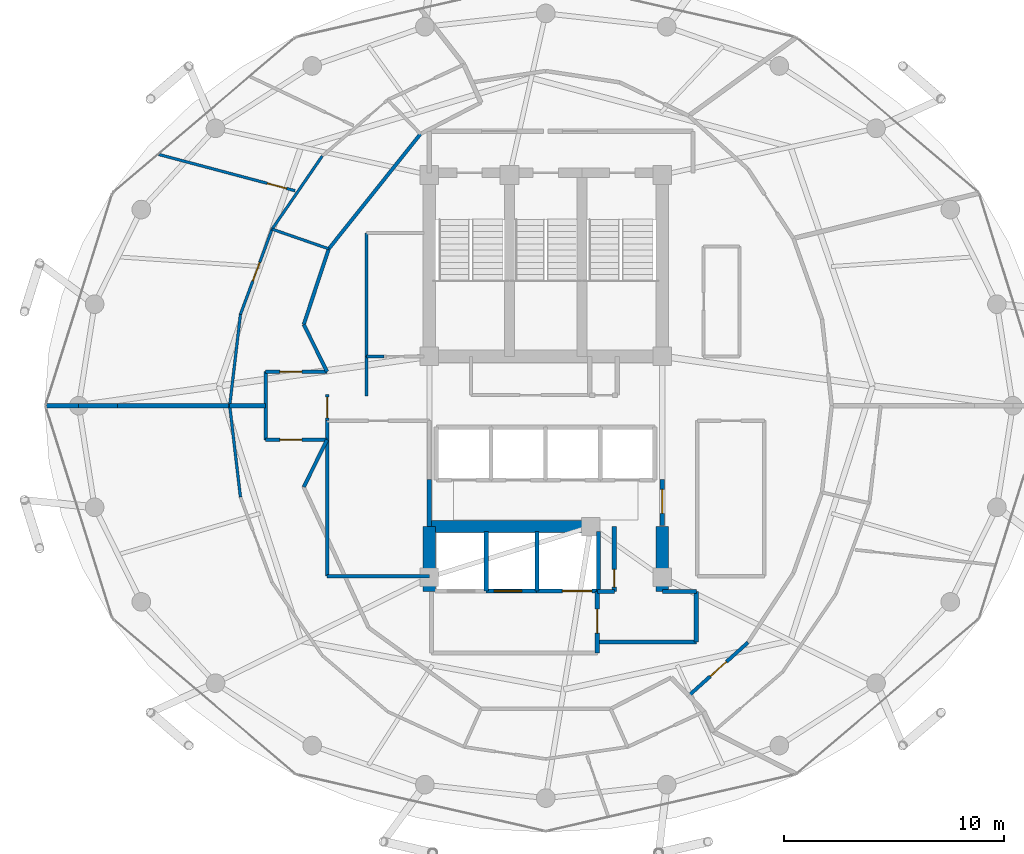
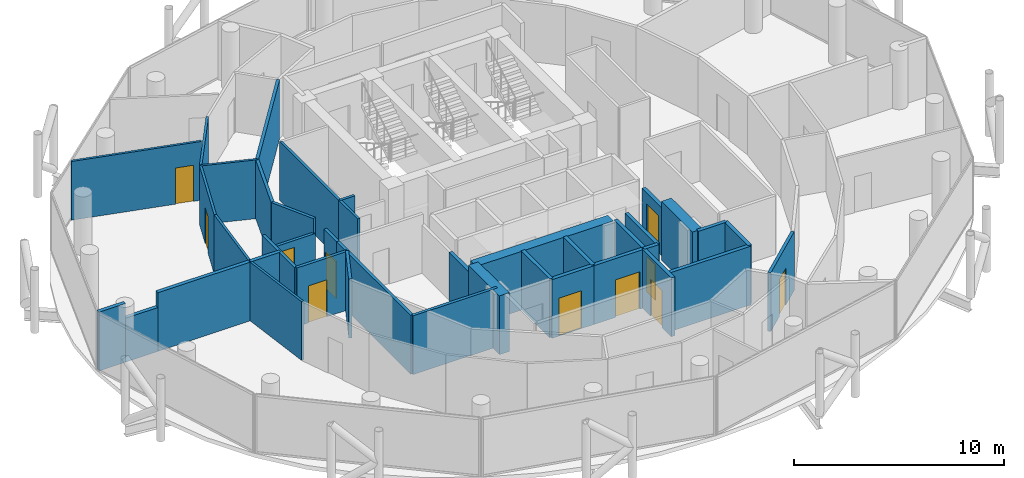
# One storey, part 23 of 27: 40 walls, 11 doors, 11 openings.
"""IFC4 building model written with IfcOpenShell, lengths in metres."""

from ifc_helpers import new_model, si_unit, direction, frame, frame_2d, origin, place, context, subcontext, project, spatial, rectangle, extrude, material, layer, layer_set, type_object, element, fill, save


model = new_model("IFC4")

# Units and contexts
model_context = context("Model", 3, precision=1e-05, world=origin(), true_north=direction((0.0, 1.0)))
body_context = subcontext(model_context, "Body", "Model", "MODEL_VIEW")
ifc_project = project(units=[si_unit("LENGTHUNIT", "METRE"), si_unit("AREAUNIT", "SQUARE_METRE"), si_unit("VOLUMEUNIT", "CUBIC_METRE"), si_unit("PLANEANGLEUNIT", "RADIAN"), si_unit("MASSUNIT", "GRAM", prefix="KILO")], contexts=[model_context])

# Site, building, storey
site_placement = place(None, origin())
site = spatial("IfcSite", under=ifc_project, at=site_placement, CompositionType="ELEMENT")
building_placement = place(site_placement, origin())
building = spatial("IfcBuilding", under=site, at=building_placement, Name="Nuhasar Tower", CompositionType="ELEMENT")
storey_placement = place(building_placement, frame((0.0, 0.0, 219.10009765625)))
storey = spatial("IfcBuildingStorey", under=building, at=storey_placement, Name="L53", CompositionType="ELEMENT", Elevation=219.10009765625)

# Walls
ifc_material_1 = material(Name="Concrete C55/67", Category="concrete")
ifc_layer_1 = layer(ifc_material_1, 0.550048828125)
ifc_layer_set_1 = layer_set([ifc_layer_1], Name="Concrete C55/67")
wall_type_1 = type_object("IfcWallType", Name="WL-CORE-550", PredefinedType="SHEAR", material=ifc_layer_set_1)
for number, where, z_axis, x_axis, name in (
    (1, (33.699951171875, 18.35009765625, 0.0), (0.0, 0.0, 1.0), (0.0, 1.0, 0.0), "L53 Core Shear Wall CW-SW CW-550"),
    (2, (44.300048828125, 18.35009765625, 0.0), (0.0, 0.0, 1.0), (0.0, 1.0, 0.0), "L53 Core Shear Wall CW-SE CW-550"),
):
    element("IfcWall", number, at=place(storey_placement, frame(where, z_axis=z_axis, x_axis=x_axis)), inside=storey, type_object=wall_type_1, Name=name, PredefinedType="SHEAR", context=body_context, shape_type="SweptSolid", body=[
        extrude(rectangle(XDim=2.949951171875, YDim=0.550048828125, at=frame_2d((1.47509765625, 0.0))), origin(), (0.0, 0.0, 1.0), 3.409912109375),
    ])
wall_1_placement = place(storey_placement, frame((33.699951171875, 21.300048828125, 0.0), z_axis=(0.0, 0.0, 1.0), x_axis=(1.0, 0.0, 0.0)))
element("IfcWall", 3, at=wall_1_placement, inside=storey, type_object=wall_type_1, Name="L53 Core Shear Wall CW-S1 CW-550", PredefinedType="SHEAR", context=body_context, shape_type="SweptSolid", body=[
    extrude(rectangle(XDim=7.550048828125, YDim=0.550048828125, at=frame_2d((3.77490234375, 0.0))), origin(), (0.0, 0.0, 1.0), 3.409912109375),
])
ifc_material_2 = material(Name="Gypsum Board", Category="gypsum")
ifc_layer_2 = layer(ifc_material_2, 0.159912109375)
ifc_layer_set_2 = layer_set([ifc_layer_2], Name="Gypsum Board")
wall_type_2 = type_object("IfcWallType", Name="WL-CORR-160", PredefinedType="PARTITIONING", material=ifc_layer_set_2)
wall_2_placement = place(storey_placement, frame((29.050048828125, 19.050048828125, 0.0), z_axis=(0.0, 0.0, 1.0), x_axis=(1.0, 0.0, 0.0)))
element("IfcWall", 4, at=wall_2_placement, inside=storey, type_object=wall_type_2, Name="L53 Interior Partition RECL-B1-S", PredefinedType="PARTITIONING", context=body_context, shape_type="SweptSolid", body=[
    extrude(rectangle(XDim=4.64990234375, YDim=0.159912109375, at=frame_2d((2.324951171875, 0.0))), origin(), (0.0, 0.0, 1.0), 3.409912109375),
])
wall_3_placement = place(storey_placement, frame((29.050048828125, 19.050048828125, 0.0), z_axis=(0.0, 0.0, 1.0), x_axis=(0.0, 1.0, 0.0)))
element("IfcWall", 5, at=wall_3_placement, inside=storey, type_object=wall_type_2, Name="L53 Interior Partition RECL-B1-W", PredefinedType="PARTITIONING", context=body_context, shape_type="SweptSolid", body=[
    extrude(rectangle(XDim=7.070068359375, YDim=0.159912109375, at=frame_2d((3.53515625, 0.0))), origin(), (0.0, 0.0, 1.0), 3.409912109375),
])

# Wall, opening, door
wall_4_placement = place(storey_placement, frame((29.050048828125, 26.1201171875, 0.0), z_axis=(0.0, 0.0, 1.0), x_axis=(0.0, 1.0, 0.0)))
wall_4 = element("IfcWall", 6, at=wall_4_placement, inside=storey, type_object=wall_type_2, Name="L53 Interior Partition WVEST-E", PredefinedType="PARTITIONING", context=body_context, shape_type="SweptSolid", body=[
    extrude(rectangle(XDim=1.199951171875, YDim=0.159912109375, at=frame_2d((0.60009765625, 0.0))), origin(), (0.0, 0.0, 1.0), 3.409912109375),
])
opening_1_placement = place(wall_4_placement, frame((0.125, 0.0, 0.0)))
opening_1 = element("IfcOpeningElement", 7, at=opening_1_placement, cuts=wall_4, Name="Opening DO-01", PredefinedType="OPENING", context=body_context, shape_type="SweptSolid", body=[
    extrude(rectangle(XDim=0.949951171875, YDim=2.14990234375, at=frame_2d((0.47509765625, 1.074951171875))), frame((0.0, 0.08984375, 0.0), z_axis=(0.0, -1.0, 0.0), x_axis=(1.0, 0.0, 0.0)), (0.0, 0.0, 1.0), 0.179931640625),
])
ifc_material_3 = material(Name="Timber Oak", Category="wood")
door_type_1 = type_object("IfcDoorType", Name="DR-OFFICE-FD30-950", OperationType="NOTDEFINED", PredefinedType="DOOR", material=ifc_material_3)
door_1_placement = place(opening_1_placement, origin())
door_1 = element("IfcDoor", 8, at=door_1_placement, inside=storey, type_object=door_type_1, Name="L53 West Arrival Foyer Core Door", OperationType="SINGLE_SWING_RIGHT", OverallHeight=2.14990234375, OverallWidth=0.949951171875, PredefinedType="DOOR", context=body_context, shape_type="SweptSolid", body=[
    extrude(rectangle(XDim=0.949951171875, YDim=2.14990234375, at=frame_2d((0.47509765625, 1.074951171875))), frame((0.0, 0.02490234375, 0.0), z_axis=(0.0, -1.0, 0.0), x_axis=(1.0, 0.0, 0.0)), (0.0, 0.0, 1.0), 0.050048828125),
])
fill(opening_1, door_1)

wall_5_placement = place(storey_placement, frame((48.198974609375, 16.031005859375, 0.0), z_axis=(0.0, 0.0, 1.0), x_axis=(-0.743813424218, -0.66838730535, 0.0)))
wall_5 = element("IfcWall", 9, at=wall_5_placement, inside=storey, type_object=wall_type_2, Name="L53 Interior Partition CORR-40", PredefinedType="PARTITIONING", context=body_context, shape_type="SweptSolid", body=[
    extrude(rectangle(XDim=3.6220703125, YDim=0.159912109375, at=frame_2d((1.81103515625, 0.0))), origin(), (0.0, 0.0, 1.0), 3.409912109375),
])
opening_2_placement = place(wall_5_placement, frame((1.31103515625, 0.0, 0.0)))
opening_2 = element("IfcOpeningElement", 10, at=opening_2_placement, cuts=wall_5, Name="Opening DU-02", PredefinedType="OPENING", context=body_context, shape_type="SweptSolid", body=[
    extrude(rectangle(XDim=1.0, YDim=2.14990234375, at=frame_2d((0.5, 1.074951171875))), frame((0.0, 0.08984375, 0.0), z_axis=(0.0, -1.0, 0.0), x_axis=(1.0, 0.0, 0.0)), (0.0, 0.0, 1.0), 0.179931640625),
])
door_type_2 = type_object("IfcDoorType", Name="DR-FLAT-FD60-1000", OperationType="NOTDEFINED", PredefinedType="DOOR", material=ifc_material_3)
door_2_placement = place(opening_2_placement, origin())
door_2 = element("IfcDoor", 11, at=door_2_placement, inside=storey, type_object=door_type_2, Name="L53 Three-Bed Apartment 01 Entrance Door", OperationType="SINGLE_SWING_RIGHT", OverallHeight=2.14990234375, OverallWidth=1.0, PredefinedType="DOOR", context=body_context, shape_type="SweptSolid", body=[
    extrude(rectangle(XDim=1.0, YDim=2.14990234375, at=frame_2d((0.5, 1.074951171875))), frame((0.0, 0.02490234375, 0.0), z_axis=(0.0, -1.0, 0.0), x_axis=(1.0, 0.0, 0.0)), (0.0, 0.0, 1.0), 0.050048828125),
])
fill(opening_2, door_2)

# Walls
wall_6_placement = place(storey_placement, frame((33.300048828125, 39.1669921875, 0.0), z_axis=(0.0, 0.0, 1.0), x_axis=(-0.623915746766, -0.781491612839, 0.0)))
element("IfcWall", 12, at=wall_6_placement, inside=storey, type_object=wall_type_2, Name="L53 Interior Partition UWEST-CORE-N2-16", PredefinedType="PARTITIONING", context=body_context, shape_type="SweptSolid", body=[
    extrude(rectangle(XDim=6.6884765625, YDim=0.159912109375, at=frame_2d((3.34423828125, 0.0))), origin(), (0.0, 0.0, 1.0), 3.409912109375),
])
wall_7_placement = place(storey_placement, frame((29.126953125, 33.93994140625, 0.0), z_axis=(0.0, 0.0, 1.0), x_axis=(-0.313985571683, -0.949427754374, 0.0)))
element("IfcWall", 13, at=wall_7_placement, inside=storey, type_object=wall_type_2, Name="L53 Interior Partition UWEST-CORE-N2-20", PredefinedType="PARTITIONING", context=body_context, shape_type="SweptSolid", body=[
    extrude(rectangle(XDim=3.627197265625, YDim=0.159912109375, at=frame_2d((1.8134765625, 0.0))), origin(), (0.0, 0.0, 1.0), 3.409912109375),
])

# Wall, opening, door
wall_8_placement = place(storey_placement, frame((26.25, 28.35009765625, 0.0), z_axis=(0.0, 0.0, 1.0), x_axis=(1.0, 0.0, 0.0)))
wall_8 = element("IfcWall", 14, at=wall_8_placement, inside=storey, type_object=wall_type_2, Name="L53 Interior Partition WVEST-N", PredefinedType="PARTITIONING", context=body_context, shape_type="SweptSolid", body=[
    extrude(rectangle(XDim=2.800048828125, YDim=0.159912109375, at=frame_2d((1.39990234375, 0.0))), origin(), (0.0, 0.0, 1.0), 2.5498046875),
])
opening_3_placement = place(wall_8_placement, frame((0.64990234375, 0.0, 0.0)))
opening_3 = element("IfcOpeningElement", 15, at=opening_3_placement, cuts=wall_8, Name="Opening DU-02", PredefinedType="OPENING", context=body_context, shape_type="SweptSolid", body=[
    extrude(rectangle(XDim=1.0, YDim=2.14990234375, at=frame_2d((0.5, 1.074951171875))), frame((0.0, 0.08984375, 0.0), z_axis=(0.0, -1.0, 0.0), x_axis=(1.0, 0.0, 0.0)), (0.0, 0.0, 1.0), 0.179931640625),
])
door_3_placement = place(opening_3_placement, origin())
door_3 = element("IfcDoor", 16, at=door_3_placement, inside=storey, type_object=door_type_2, Name="L53 North-West Sky Home Entrance", OperationType="SINGLE_SWING_LEFT", OverallHeight=2.14990234375, OverallWidth=1.0, PredefinedType="DOOR", context=body_context, shape_type="SweptSolid", body=[
    extrude(rectangle(XDim=1.0, YDim=2.14990234375, at=frame_2d((0.5, 1.074951171875))), frame((0.0, 0.02490234375, 0.0), z_axis=(0.0, -1.0, 0.0), x_axis=(1.0, 0.0, 0.0)), (0.0, 0.0, 1.0), 0.050048828125),
])
fill(opening_3, door_3)

wall_9_placement = place(storey_placement, frame((26.25, 25.25, 0.0), z_axis=(0.0, 0.0, 1.0), x_axis=(1.0, 0.0, 0.0)))
wall_9 = element("IfcWall", 17, at=wall_9_placement, inside=storey, type_object=wall_type_2, Name="L53 Interior Partition WVEST-S", PredefinedType="PARTITIONING", context=body_context, shape_type="SweptSolid", body=[
    extrude(rectangle(XDim=2.800048828125, YDim=0.159912109375, at=frame_2d((1.39990234375, 0.0))), origin(), (0.0, 0.0, 1.0), 3.409912109375),
])
opening_4_placement = place(wall_9_placement, frame((0.64990234375, 0.0, 0.0)))
opening_4 = element("IfcOpeningElement", 18, at=opening_4_placement, cuts=wall_9, Name="Opening DU-02", PredefinedType="OPENING", context=body_context, shape_type="SweptSolid", body=[
    extrude(rectangle(XDim=1.0, YDim=2.14990234375, at=frame_2d((0.5, 1.074951171875))), frame((0.0, 0.08984375, 0.0), z_axis=(0.0, -1.0, 0.0), x_axis=(1.0, 0.0, 0.0)), (0.0, 0.0, 1.0), 0.179931640625),
])
door_4_placement = place(opening_4_placement, origin())
door_4 = element("IfcDoor", 19, at=door_4_placement, inside=storey, type_object=door_type_2, Name="L53 South-West Sky Home Entrance", OperationType="SINGLE_SWING_LEFT", OverallHeight=2.14990234375, OverallWidth=1.0, PredefinedType="DOOR", context=body_context, shape_type="SweptSolid", body=[
    extrude(rectangle(XDim=1.0, YDim=2.14990234375, at=frame_2d((0.5, 1.074951171875))), frame((0.0, 0.02490234375, 0.0), z_axis=(0.0, -1.0, 0.0), x_axis=(1.0, 0.0, 0.0)), (0.0, 0.0, 1.0), 0.050048828125),
])
fill(opening_4, door_4)

# Walls
wall_10_placement = place(storey_placement, frame((26.25, 25.25, 0.0), z_axis=(0.0, 0.0, 1.0), x_axis=(0.0, 1.0, 0.0)))
element("IfcWall", 20, at=wall_10_placement, inside=storey, type_object=wall_type_2, Name="L53 Interior Partition WVEST-W", PredefinedType="PARTITIONING", context=body_context, shape_type="SweptSolid", body=[
    extrude(rectangle(XDim=3.10009765625, YDim=0.159912109375, at=frame_2d((1.550048828125, 0.0))), origin(), (0.0, 0.0, 1.0), 3.409912109375),
])
for number, where, z_axis, x_axis, name in (
    (21, (27.988037109375, 30.49609375, 0.0), (0.0, 0.0, 1.0), (0.443539160525, -0.896254993337, 0.0), "L53 Interior Partition WVEST-CN"),
    (22, (27.988037109375, 23.10400390625, 0.0), (0.0, 0.0, 1.0), (0.443539160525, 0.896254993337, 0.0), "L53 Interior Partition WVEST-CS"),
):
    element("IfcWall", number, at=place(storey_placement, frame(where, z_axis=z_axis, x_axis=x_axis)), inside=storey, type_object=wall_type_2, Name=name, PredefinedType="PARTITIONING", context=body_context, shape_type="SweptSolid", body=[
        extrude(rectangle(XDim=2.394287109375, YDim=0.159912109375, at=frame_2d((1.197265625, 0.0))), origin(), (0.0, 0.0, 1.0), 3.409912109375),
    ])
ifc_material_4 = material(Name="Concrete C45/55", Category="concrete")
ifc_layer_3 = layer(ifc_material_4, 0.199951171875)
ifc_layer_set_3 = layer_set([ifc_layer_3], Name="Concrete C45/55")
wall_type_3 = type_object("IfcWallType", Name="WL-LOBBY-200", PredefinedType="SOLIDWALL", material=ifc_layer_set_3)
wall_11_placement = place(storey_placement, frame((33.699951171875, 21.300048828125, 0.0), z_axis=(0.0, 0.0, 1.0), x_axis=(0.0, 1.0, 0.0)))
element("IfcWall", 23, at=wall_11_placement, inside=storey, type_object=wall_type_3, Name="L53 Interior Partition LLBH-W", PredefinedType="SOLIDWALL", context=body_context, shape_type="SweptSolid", body=[
    extrude(rectangle(XDim=2.14990234375, YDim=0.199951171875, at=frame_2d((1.074951171875, 0.0))), origin(), (0.0, 0.0, 1.0), 2.794921875),
])

# Wall, opening, door
wall_12_placement = place(storey_placement, frame((44.300048828125, 21.35009765625, 0.0), z_axis=(0.0, 0.0, 1.0), x_axis=(0.0, 1.0, 0.0)))
wall_12 = element("IfcWall", 24, at=wall_12_placement, inside=storey, type_object=wall_type_3, Name="L53 Interior Partition LLBH-E", PredefinedType="SOLIDWALL", context=body_context, shape_type="SweptSolid", body=[
    extrude(rectangle(XDim=2.099853515625, YDim=0.199951171875, at=frame_2d((1.0498046875, 0.0))), origin(), (0.0, 0.0, 1.0), 2.794921875),
])
opening_5_placement = place(wall_12_placement, frame((0.550048828125, 0.0, 0.0)))
opening_5 = element("IfcOpeningElement", 25, at=opening_5_placement, cuts=wall_12, Name="Opening DS-02", PredefinedType="OPENING", context=body_context, shape_type="SweptSolid", body=[
    extrude(rectangle(XDim=1.10009765625, YDim=2.14990234375, at=frame_2d((0.550048828125, 1.074951171875))), frame((0.0, 0.10986328125, 0.0), z_axis=(0.0, -1.0, 0.0), x_axis=(1.0, 0.0, 0.0)), (0.0, 0.0, 1.0), 0.219970703125),
])
ifc_material_5 = material(Name="Steel S355", Category="steel")
door_type_3 = type_object("IfcDoorType", Name="DR-FFL-FD120-1100", OperationType="NOTDEFINED", PredefinedType="DOOR", material=ifc_material_5)
door_5_placement = place(opening_5_placement, origin())
door_5 = element("IfcDoor", 26, at=door_5_placement, inside=storey, type_object=door_type_3, Name="L53 High-Rise Lobby East Door", OperationType="SINGLE_SWING_RIGHT", OverallHeight=2.14990234375, OverallWidth=1.10009765625, PredefinedType="DOOR", context=body_context, shape_type="SweptSolid", body=[
    extrude(rectangle(XDim=1.10009765625, YDim=2.14990234375, at=frame_2d((0.550048828125, 1.074951171875))), frame((0.0, 0.02490234375, 0.0), z_axis=(0.0, -1.0, 0.0), x_axis=(1.0, 0.0, 0.0)), (0.0, 0.0, 1.0), 0.050048828125),
])
fill(opening_5, door_5)

wall_13_placement = place(storey_placement, frame((41.35009765625, 15.550048828125, 0.0), z_axis=(0.0, 0.0, 1.0), x_axis=(0.0, 1.0, 0.0)))
wall_13 = element("IfcWall", 27, at=wall_13_placement, inside=storey, type_object=wall_type_3, Name="L53 Interior Partition FFL-E", PredefinedType="SOLIDWALL", context=body_context, shape_type="SweptSolid", body=[
    extrude(rectangle(XDim=2.800048828125, YDim=0.199951171875, at=frame_2d((1.39990234375, 0.0))), origin(), (0.0, 0.0, 1.0), 3.409912109375),
])
opening_6_placement = place(wall_13_placement, frame((0.89990234375, 0.0, 0.0)))
opening_6 = element("IfcOpeningElement", 28, at=opening_6_placement, cuts=wall_13, Name="Opening DS-02", PredefinedType="OPENING", context=body_context, shape_type="SweptSolid", body=[
    extrude(rectangle(XDim=1.10009765625, YDim=2.14990234375, at=frame_2d((0.550048828125, 1.074951171875))), frame((0.0, 0.10986328125, 0.0), z_axis=(0.0, -1.0, 0.0), x_axis=(1.0, 0.0, 0.0)), (0.0, 0.0, 1.0), 0.219970703125),
])
door_6_placement = place(opening_6_placement, origin())
door_6 = element("IfcDoor", 29, at=door_6_placement, inside=storey, type_object=door_type_3, Name="L53 Firefighting Lobby Door", OperationType="SINGLE_SWING_RIGHT", OverallHeight=2.14990234375, OverallWidth=1.10009765625, PredefinedType="DOOR", context=body_context, shape_type="SweptSolid", body=[
    extrude(rectangle(XDim=1.10009765625, YDim=2.14990234375, at=frame_2d((0.550048828125, 1.074951171875))), frame((0.0, 0.02490234375, 0.0), z_axis=(0.0, -1.0, 0.0), x_axis=(1.0, 0.0, 0.0)), (0.0, 0.0, 1.0), 0.050048828125),
])
fill(opening_6, door_6)

# Walls
wall_14_placement = place(storey_placement, frame((41.35009765625, 16.050048828125, 0.0), z_axis=(0.0, 0.0, 1.0), x_axis=(1.0, 0.0, 0.0)))
element("IfcWall", 30, at=wall_14_placement, inside=storey, type_object=wall_type_3, Name="L53 Interior Partition SVLV-S", PredefinedType="SOLIDWALL", context=body_context, shape_type="SweptSolid", body=[
    extrude(rectangle(XDim=4.5, YDim=0.199951171875, at=frame_2d((2.25, 0.0))), origin(), (0.0, 0.0, 1.0), 3.409912109375),
])
wall_15_placement = place(storey_placement, frame((45.85009765625, 16.050048828125, 0.0), z_axis=(0.0, 0.0, 1.0), x_axis=(0.0, 1.0, 0.0)))
element("IfcWall", 31, at=wall_15_placement, inside=storey, type_object=wall_type_3, Name="L53 Interior Partition SVLV-E", PredefinedType="SOLIDWALL", context=body_context, shape_type="SweptSolid", body=[
    extrude(rectangle(XDim=2.300048828125, YDim=0.199951171875, at=frame_2d((1.14990234375, 0.0))), origin(), (0.0, 0.0, 1.0), 3.409912109375),
])
wall_16_placement = place(storey_placement, frame((44.300048828125, 18.35009765625, 0.0), z_axis=(0.0, 0.0, 1.0), x_axis=(1.0, 0.0, 0.0)))
element("IfcWall", 32, at=wall_16_placement, inside=storey, type_object=wall_type_3, Name="L53 Interior Partition SVLV-N", PredefinedType="SOLIDWALL", context=body_context, shape_type="SweptSolid", body=[
    extrude(rectangle(XDim=1.550048828125, YDim=0.199951171875, at=frame_2d((0.77490234375, 0.0))), origin(), (0.0, 0.0, 1.0), 3.409912109375),
])
ifc_layer_4 = layer(ifc_material_2, 0.125)
ifc_layer_set_4 = layer_set([ifc_layer_4], Name="Gypsum Board")
wall_type_4 = type_object("IfcWallType", Name="WL-PART-125", PredefinedType="PARTITIONING", material=ifc_layer_set_4)
wall_17_placement = place(storey_placement, frame((29.126953125, 33.93994140625, 0.0), z_axis=(0.0, 0.0, 1.0), x_axis=(-0.944759436998, 0.327764559102, 0.0)))
element("IfcWall", 33, at=wall_17_placement, inside=storey, type_object=wall_type_4, Name="L53 Interior Partition USI-1-KD", PredefinedType="PARTITIONING", context=body_context, shape_type="SweptSolid", body=[
    extrude(rectangle(XDim=2.730712890625, YDim=0.125, at=frame_2d((1.365234375, 0.0))), origin(), (0.0, 0.0, 1.0), 3.409912109375),
])
wall_18_placement = place(storey_placement, frame((28.83203125, 38.1630859375, 0.0), z_axis=(0.0, 0.0, 1.0), x_axis=(-0.565994846929, -0.824408778004, 0.0)))
element("IfcWall", 34, at=wall_18_placement, inside=storey, type_object=wall_type_4, Name="L53 Interior Partition USM-1-K-18", PredefinedType="PARTITIONING", context=body_context, shape_type="SweptSolid", body=[
    extrude(rectangle(XDim=4.036865234375, YDim=0.125, at=frame_2d((2.0185546875, 0.0))), origin(), (0.0, 0.0, 1.0), 3.409912109375),
])

# Wall, opening, door
wall_19_placement = place(storey_placement, frame((25.110107421875, 30.958984375, 0.0), z_axis=(0.0, 0.0, 1.0), x_axis=(0.347625950087, 0.937633296564, 0.0)))
wall_19 = element("IfcWall", 35, at=wall_19_placement, inside=storey, type_object=wall_type_4, Name="L53 Interior Partition USM-1-D-20", PredefinedType="PARTITIONING", context=body_context, shape_type="SweptSolid", body=[
    extrude(rectangle(XDim=4.1337890625, YDim=0.125, at=frame_2d((2.06689453125, 0.0))), origin(), (0.0, 0.0, 1.0), 3.409912109375),
])
opening_7_placement = place(wall_19_placement, frame((1.616943359375, 0.0, 0.0)))
opening_7 = element("IfcOpeningElement", 36, at=opening_7_placement, cuts=wall_19, Name="Opening DR-01", PredefinedType="OPENING", context=body_context, shape_type="SweptSolid", body=[
    extrude(rectangle(XDim=0.89990234375, YDim=2.10009765625, at=frame_2d((0.449951171875, 1.050048828125))), frame((0.0, 0.072509765625, 0.0), z_axis=(0.0, -1.0, 0.0), x_axis=(1.0, 0.0, 0.0)), (0.0, 0.0, 1.0), 0.14501953125),
])
door_type_4 = type_object("IfcDoorType", Name="DR-ROOM-900", OperationType="NOTDEFINED", PredefinedType="DOOR", material=ifc_material_3)
door_7_placement = place(opening_7_placement, origin())
door_7 = element("IfcDoor", 37, at=door_7_placement, inside=storey, type_object=door_type_4, Name="L53 North-West Sky Home Living Door", OperationType="SINGLE_SWING_LEFT", OverallHeight=2.10009765625, OverallWidth=0.89990234375, PredefinedType="DOOR", context=body_context, shape_type="SweptSolid", body=[
    extrude(rectangle(XDim=0.89990234375, YDim=2.10009765625, at=frame_2d((0.449951171875, 1.050048828125))), frame((0.0, 0.02490234375, 0.0), z_axis=(0.0, -1.0, 0.0), x_axis=(1.0, 0.0, 0.0)), (0.0, 0.0, 1.0), 0.050048828125),
])
fill(opening_7, door_7)

# Wall
wall_20_placement = place(storey_placement, frame((25.110107421875, 30.958984375, 0.0), z_axis=(0.0, 0.0, 1.0), x_axis=(-0.117006991469, -0.993131091018, 0.0)))
element("IfcWall", 38, at=wall_20_placement, inside=storey, type_object=wall_type_4, Name="L53 Interior Partition USM-1-D-22", PredefinedType="PARTITIONING", context=body_context, shape_type="SweptSolid", body=[
    extrude(rectangle(XDim=4.187744140625, YDim=0.125, at=frame_2d((2.09375, 0.0))), origin(), (0.0, 0.0, 1.0), 3.409912109375),
])

# Wall, opening, door
wall_21_placement = place(storey_placement, frame((27.592041015625, 36.5830078125, 0.0), z_axis=(0.0, 0.0, 1.0), x_axis=(-0.966372641244, 0.257145714053, 0.0)))
wall_21 = element("IfcWall", 39, at=wall_21_placement, inside=storey, type_object=wall_type_4, Name="L53 Interior Partition USO-1-B2", PredefinedType="PARTITIONING", context=body_context, shape_type="SweptSolid", body=[
    extrude(rectangle(XDim=6.40869140625, YDim=0.125, at=frame_2d((3.204345703125, 0.0))), origin(), (0.0, 0.0, 1.0), 3.409912109375),
])
opening_8_placement = place(wall_21_placement, frame((0.39990234375, 0.0, 0.0)))
opening_8 = element("IfcOpeningElement", 40, at=opening_8_placement, cuts=wall_21, Name="Opening DR-01", PredefinedType="OPENING", context=body_context, shape_type="SweptSolid", body=[
    extrude(rectangle(XDim=0.89990234375, YDim=2.10009765625, at=frame_2d((0.449951171875, 1.050048828125))), frame((0.0, 0.072509765625, 0.0), z_axis=(0.0, -1.0, 0.0), x_axis=(1.0, 0.0, 0.0)), (0.0, 0.0, 1.0), 0.14501953125),
])
door_8_placement = place(opening_8_placement, origin())
door_8 = element("IfcDoor", 41, at=door_8_placement, inside=storey, type_object=door_type_4, Name="L53 North-West Sky Home Study Door", OperationType="SINGLE_SWING_LEFT", OverallHeight=2.10009765625, OverallWidth=0.89990234375, PredefinedType="DOOR", context=body_context, shape_type="SweptSolid", body=[
    extrude(rectangle(XDim=0.89990234375, YDim=2.10009765625, at=frame_2d((0.449951171875, 1.050048828125))), frame((0.0, 0.02490234375, 0.0), z_axis=(0.0, -1.0, 0.0), x_axis=(1.0, 0.0, 0.0)), (0.0, 0.0, 1.0), 0.050048828125),
])
fill(opening_8, door_8)

# Walls
wall_22_placement = place(storey_placement, frame((24.6201171875, 26.800048828125, 0.0), z_axis=(0.0, 0.0, 1.0), x_axis=(0.117006991469, -0.993131091018, 0.0)))
element("IfcWall", 42, at=wall_22_placement, inside=storey, type_object=wall_type_4, Name="L53 Interior Partition USM-2-D-24", PredefinedType="PARTITIONING", context=body_context, shape_type="SweptSolid", body=[
    extrude(rectangle(XDim=4.187744140625, YDim=0.125, at=frame_2d((2.09375, 0.0))), origin(), (0.0, 0.0, 1.0), 3.409912109375),
])
ifc_layer_5 = layer(ifc_material_4, 0.199951171875)
ifc_layer_set_5 = layer_set([ifc_layer_5], Name="Concrete C45/55")
wall_type_5 = type_object("IfcWallType", Name="WL-SHAFT-200", PredefinedType="SOLIDWALL", material=ifc_layer_set_5)
wall_23_placement = place(storey_placement, frame((36.300048828125, 18.3701171875, 0.0), z_axis=(0.0, 0.0, 1.0), x_axis=(0.0, 1.0, 0.0)))
element("IfcWall", 43, at=wall_23_placement, inside=storey, type_object=wall_type_5, Name="L53 Interior Partition SHF-FFL-01-E", PredefinedType="SOLIDWALL", context=body_context, shape_type="SweptSolid", body=[
    extrude(rectangle(XDim=2.7099609375, YDim=0.199951171875, at=frame_2d((1.35498046875, 0.0))), origin(), (0.0, 0.0, 1.0), 3.409912109375),
])

# Wall, opening, door
wall_24_placement = place(storey_placement, frame((36.27001953125, 18.3701171875, 0.0), z_axis=(0.0, 0.0, 1.0), x_axis=(1.0, 0.0, 0.0)))
wall_24 = element("IfcWall", 44, at=wall_24_placement, inside=storey, type_object=wall_type_5, Name="L53 Interior Partition SHF-FFL-02-S", PredefinedType="SOLIDWALL", context=body_context, shape_type="SweptSolid", body=[
    extrude(rectangle(XDim=2.35986328125, YDim=0.199951171875, at=frame_2d((1.179931640625, 0.0))), origin(), (0.0, 0.0, 1.0), 3.409912109375),
])
opening_9_placement = place(wall_24_placement, frame((0.3798828125, 0.0, 0.0)))
opening_9 = element("IfcOpeningElement", 45, at=opening_9_placement, cuts=wall_24, Name="Opening LD-F02", PredefinedType="OPENING", context=body_context, shape_type="SweptSolid", body=[
    extrude(rectangle(XDim=1.25, YDim=2.199951171875, at=frame_2d((0.625, 1.10009765625))), frame((0.0, 0.10986328125, 0.0), z_axis=(0.0, -1.0, 0.0), x_axis=(1.0, 0.0, 0.0)), (0.0, 0.0, 1.0), 0.219970703125),
])
ifc_material_6 = material(Name="Stainless Steel 316L", Category="steel")
door_type_5 = type_object("IfcDoorType", Name="LD-FFL-1250", OperationType="DOUBLE_DOOR_SLIDING", PredefinedType="DOOR", material=ifc_material_6)
door_9_placement = place(opening_9_placement, origin())
door_9 = element("IfcDoor", 46, at=door_9_placement, inside=storey, type_object=door_type_5, Name="L53 Lift Landing Door FFL-02", OperationType="DOUBLE_DOOR_SLIDING", OverallHeight=2.199951171875, OverallWidth=1.25, PredefinedType="DOOR", context=body_context, shape_type="SweptSolid", body=[
    extrude(rectangle(XDim=1.25, YDim=2.199951171875, at=frame_2d((0.625, 1.10009765625))), frame((0.0, 0.02490234375, 0.0), z_axis=(0.0, -1.0, 0.0), x_axis=(1.0, 0.0, 0.0)), (0.0, 0.0, 1.0), 0.050048828125),
])
fill(opening_9, door_9)

# Wall
wall_25_placement = place(storey_placement, frame((38.60009765625, 18.3701171875, 0.0), z_axis=(0.0, 0.0, 1.0), x_axis=(0.0, 1.0, 0.0)))
element("IfcWall", 47, at=wall_25_placement, inside=storey, type_object=wall_type_5, Name="L53 Interior Partition SHF-FFL-02-E", PredefinedType="SOLIDWALL", context=body_context, shape_type="SweptSolid", body=[
    extrude(rectangle(XDim=2.7099609375, YDim=0.199951171875, at=frame_2d((1.35498046875, 0.0))), origin(), (0.0, 0.0, 1.0), 3.409912109375),
])

# Wall, opening, door
wall_26_placement = place(storey_placement, frame((38.570068359375, 18.3701171875, 0.0), z_axis=(0.0, 0.0, 1.0), x_axis=(1.0, 0.0, 0.0)))
wall_26 = element("IfcWall", 48, at=wall_26_placement, inside=storey, type_object=wall_type_5, Name="L53 Interior Partition SHF-SVL-01-S", PredefinedType="SOLIDWALL", context=body_context, shape_type="SweptSolid", body=[
    extrude(rectangle(XDim=2.829833984375, YDim=0.199951171875, at=frame_2d((1.4150390625, 0.0))), origin(), (0.0, 0.0, 1.0), 3.409912109375),
])
opening_10_placement = place(wall_26_placement, frame((1.179931640625, 0.0, 0.0)))
opening_10 = element("IfcOpeningElement", 49, at=opening_10_placement, cuts=wall_26, Name="Opening LD-S01", PredefinedType="OPENING", context=body_context, shape_type="SweptSolid", body=[
    extrude(rectangle(XDim=1.35009765625, YDim=2.179931640625, at=frame_2d((0.675048828125, 1.08984375))), frame((0.0, 0.10986328125, 0.0), z_axis=(0.0, -1.0, 0.0), x_axis=(1.0, 0.0, 0.0)), (0.0, 0.0, 1.0), 0.219970703125),
])
door_type_6 = type_object("IfcDoorType", Name="LD-SVL-1350", OperationType="DOUBLE_DOOR_SLIDING", PredefinedType="DOOR", material=ifc_material_6)
door_10_placement = place(opening_10_placement, origin())
door_10 = element("IfcDoor", 50, at=door_10_placement, inside=storey, type_object=door_type_6, Name="L53 Lift Landing Door SVL-01", OperationType="DOUBLE_DOOR_SLIDING", OverallHeight=2.179931640625, OverallWidth=1.35009765625, PredefinedType="DOOR", context=body_context, shape_type="SweptSolid", body=[
    extrude(rectangle(XDim=1.35009765625, YDim=2.179931640625, at=frame_2d((0.675048828125, 1.08984375))), frame((0.0, 0.02490234375, 0.0), z_axis=(0.0, -1.0, 0.0), x_axis=(1.0, 0.0, 0.0)), (0.0, 0.0, 1.0), 0.050048828125),
])
fill(opening_10, door_10)

# Wall
wall_27_placement = place(storey_placement, frame((41.39990234375, 18.3701171875, 0.0), z_axis=(0.0, 0.0, 1.0), x_axis=(0.0, 1.0, 0.0)))
element("IfcWall", 51, at=wall_27_placement, inside=storey, type_object=wall_type_5, Name="L53 Interior Partition SHF-SVL-01-E", PredefinedType="SOLIDWALL", context=body_context, shape_type="SweptSolid", body=[
    extrude(rectangle(XDim=2.7099609375, YDim=0.199951171875, at=frame_2d((1.35498046875, 0.0))), origin(), (0.0, 0.0, 1.0), 3.409912109375),
])

# Wall, opening, door
wall_28_placement = place(storey_placement, frame((42.1201171875, 18.35009765625, 0.0), z_axis=(0.0, 0.0, 1.0), x_axis=(0.0, 1.0, 0.0)))
wall_28 = element("IfcWall", 52, at=wall_28_placement, inside=storey, type_object=wall_type_5, Name="L53 Interior Partition RSR-E", PredefinedType="SOLIDWALL", context=body_context, shape_type="SweptSolid", body=[
    extrude(rectangle(XDim=2.949951171875, YDim=0.199951171875, at=frame_2d((1.47509765625, 0.0))), origin(), (0.0, 0.0, 1.0), 3.409912109375),
])
opening_11_placement = place(wall_28_placement, frame((0.199951171875, 0.0, 0.0)))
opening_11 = element("IfcOpeningElement", 53, at=opening_11_placement, cuts=wall_28, Name="Opening DM-01", PredefinedType="OPENING", context=body_context, shape_type="SweptSolid", body=[
    extrude(rectangle(XDim=0.800048828125, YDim=2.050048828125, at=frame_2d((0.39990234375, 1.02490234375))), frame((0.0, 0.10986328125, 0.0), z_axis=(0.0, -1.0, 0.0), x_axis=(1.0, 0.0, 0.0)), (0.0, 0.0, 1.0), 0.219970703125),
])
door_type_7 = type_object("IfcDoorType", Name="DR-RISER-FD60-800", OperationType="NOTDEFINED", PredefinedType="DOOR", material=ifc_material_5)
door_11_placement = place(opening_11_placement, origin())
door_11 = element("IfcDoor", 54, at=door_11_placement, inside=storey, type_object=door_type_7, Name="L53 MEP Riser Access Door", OperationType="SINGLE_SWING_LEFT", OverallHeight=2.050048828125, OverallWidth=0.800048828125, PredefinedType="DOOR", context=body_context, shape_type="SweptSolid", body=[
    extrude(rectangle(XDim=0.800048828125, YDim=2.050048828125, at=frame_2d((0.39990234375, 1.02490234375))), frame((0.0, 0.02490234375, 0.0), z_axis=(0.0, -1.0, 0.0), x_axis=(1.0, 0.0, 0.0)), (0.0, 0.0, 1.0), 0.050048828125),
])
fill(opening_11, door_11)

# Walls
wall_29_placement = place(storey_placement, frame((41.35009765625, 18.35009765625, 0.0), z_axis=(0.0, 0.0, 1.0), x_axis=(1.0, 0.0, 0.0)))
element("IfcWall", 55, at=wall_29_placement, inside=storey, type_object=wall_type_5, Name="L53 Interior Partition RSR-S", PredefinedType="SOLIDWALL", context=body_context, shape_type="SweptSolid", body=[
    extrude(rectangle(XDim=0.77001953125, YDim=0.199951171875, at=frame_2d((0.385009765625, 0.0))), origin(), (0.0, 0.0, 1.0), 3.409912109375),
])
ifc_material_7 = material(Name="Concrete C40/50 precast", Category="concrete")
ifc_layer_6 = layer(ifc_material_7, 0.199951171875)
ifc_layer_set_6 = layer_set([ifc_layer_6], Name="Concrete C40/50 precast")
wall_type_6 = type_object("IfcWallType", Name="WL-UNIT-200", PredefinedType="PARTITIONING", material=ifc_layer_set_6)
wall_30_placement = place(storey_placement, frame((26.25, 26.800048828125, 0.0), z_axis=(0.0, 0.0, 1.0), x_axis=(-1.0, 0.0, 0.0)))
element("IfcWall", 56, at=wall_30_placement, inside=storey, type_object=wall_type_6, Name="L53 Interior Partition UWEST-PARTY-IN", PredefinedType="PARTITIONING", context=body_context, shape_type="SweptSolid", body=[
    extrude(rectangle(XDim=1.6298828125, YDim=0.199951171875, at=frame_2d((0.81494140625, 0.0))), origin(), (0.0, 0.0, 1.0), 3.409912109375),
])
wall_31_placement = place(storey_placement, frame((24.6201171875, 26.800048828125, 0.0), z_axis=(0.0, 0.0, 1.0), x_axis=(-1.0, 0.0, 0.0)))
element("IfcWall", 57, at=wall_31_placement, inside=storey, type_object=wall_type_6, Name="L53 Interior Partition UWEST-PARTY-OUT", PredefinedType="PARTITIONING", context=body_context, shape_type="SweptSolid", body=[
    extrude(rectangle(XDim=5.1162109375, YDim=0.199951171875, at=frame_2d((2.55810546875, 0.0))), origin(), (0.0, 0.0, 1.0), 3.409912109375),
])
wall_32_placement = place(storey_placement, frame((19.50390625, 26.800048828125, 0.0), z_axis=(0.0, 0.0, 1.0), x_axis=(-1.0, 0.0, 0.0)))
element("IfcWall", 58, at=wall_32_placement, inside=storey, type_object=wall_type_6, Name="L53 Interior Partition UWEST-PARTY-OUT", PredefinedType="PARTITIONING", context=body_context, shape_type="SweptSolid", body=[
    extrude(rectangle(XDim=1.767822265625, YDim=0.199951171875, at=frame_2d((0.8837890625, 0.0))), origin(), (0.0, 0.0, 1.0), 2.5498046875),
])
wall_33_placement = place(storey_placement, frame((17.736083984375, 26.800048828125, 0.0), z_axis=(0.0, 0.0, 1.0), x_axis=(-1.0, 0.0, 0.0)))
element("IfcWall", 59, at=wall_33_placement, inside=storey, type_object=wall_type_6, Name="L53 Interior Partition UWEST-PARTY-OUT", PredefinedType="PARTITIONING", context=body_context, shape_type="SweptSolid", body=[
    extrude(rectangle(XDim=1.461181640625, YDim=0.199951171875, at=frame_2d((0.73046875, 0.0))), origin(), (0.0, 0.0, 1.0), 3.409912109375),
])
ifc_layer_7 = layer(ifc_material_7, 0.139892578125)
ifc_layer_set_7 = layer_set([ifc_layer_7], Name="Concrete C40/50 precast")
wall_type_7 = type_object("IfcWallType", Name="WL-WET-140", PredefinedType="PARTITIONING", material=ifc_layer_set_7)
wall_34_placement = place(storey_placement, frame((30.85009765625, 27.239990234375, 0.0), z_axis=(0.0, 0.0, 1.0), x_axis=(0.0, 1.0, 0.0)))
element("IfcWall", 60, at=wall_34_placement, inside=storey, type_object=wall_type_7, Name="L53 Interior Partition K3-FOY-W", PredefinedType="PARTITIONING", context=body_context, shape_type="SweptSolid", body=[
    extrude(rectangle(XDim=1.81005859375, YDim=0.139892578125, at=frame_2d((0.905029296875, 0.0))), origin(), (0.0, 0.0, 1.0), 3.409912109375),
])
wall_35_placement = place(storey_placement, frame((30.85009765625, 29.050048828125, 0.0), z_axis=(0.0, 0.0, 1.0), x_axis=(1.0, 0.0, 0.0)))
element("IfcWall", 61, at=wall_35_placement, inside=storey, type_object=wall_type_7, Name="L53 Interior Partition K3-NW-S", PredefinedType="PARTITIONING", context=body_context, shape_type="SweptSolid", body=[
    extrude(rectangle(XDim=0.77978515625, YDim=0.139892578125, at=frame_2d((0.389892578125, 0.0))), origin(), (0.0, 0.0, 1.0), 3.409912109375),
])
wall_36_placement = place(storey_placement, frame((30.85009765625, 29.050048828125, 0.0), z_axis=(0.0, 0.0, 1.0), x_axis=(0.0, 1.0, 0.0)))
element("IfcWall", 62, at=wall_36_placement, inside=storey, type_object=wall_type_7, Name="L53 Interior Partition K3-NW-W", PredefinedType="PARTITIONING", context=body_context, shape_type="SweptSolid", body=[
    extrude(rectangle(XDim=5.599853515625, YDim=0.139892578125, at=frame_2d((2.7998046875, 0.0))), origin(), (0.0, 0.0, 1.0), 3.409912109375),
])

save(model, "model.ifc")
